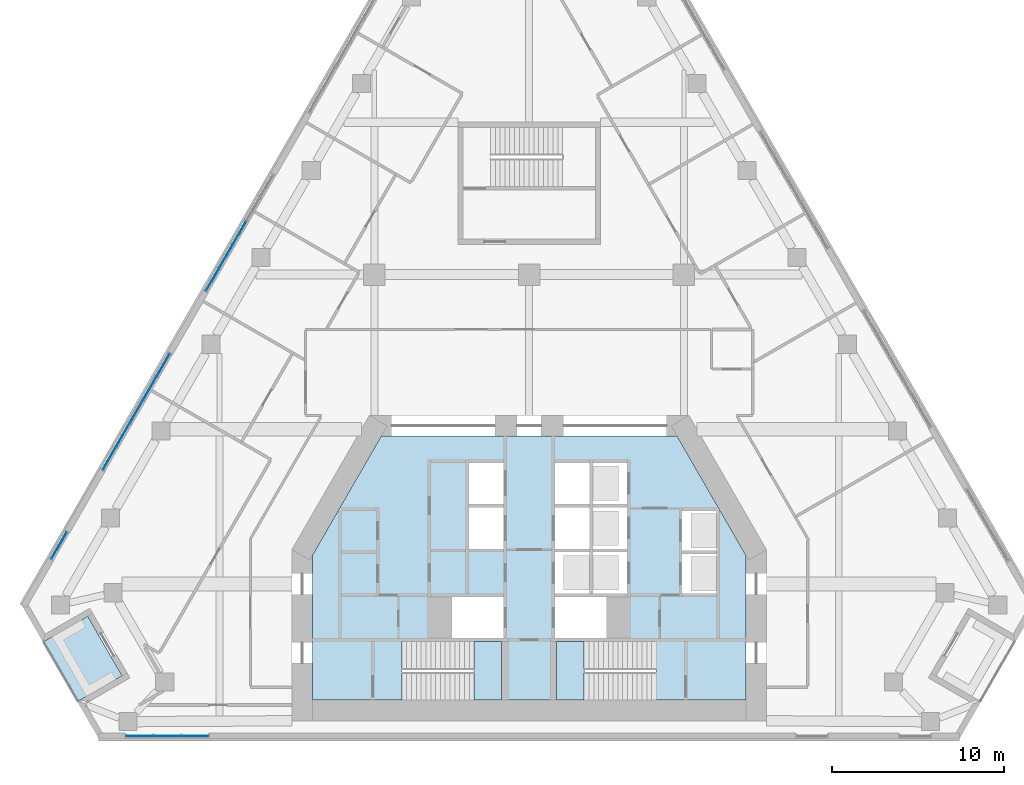
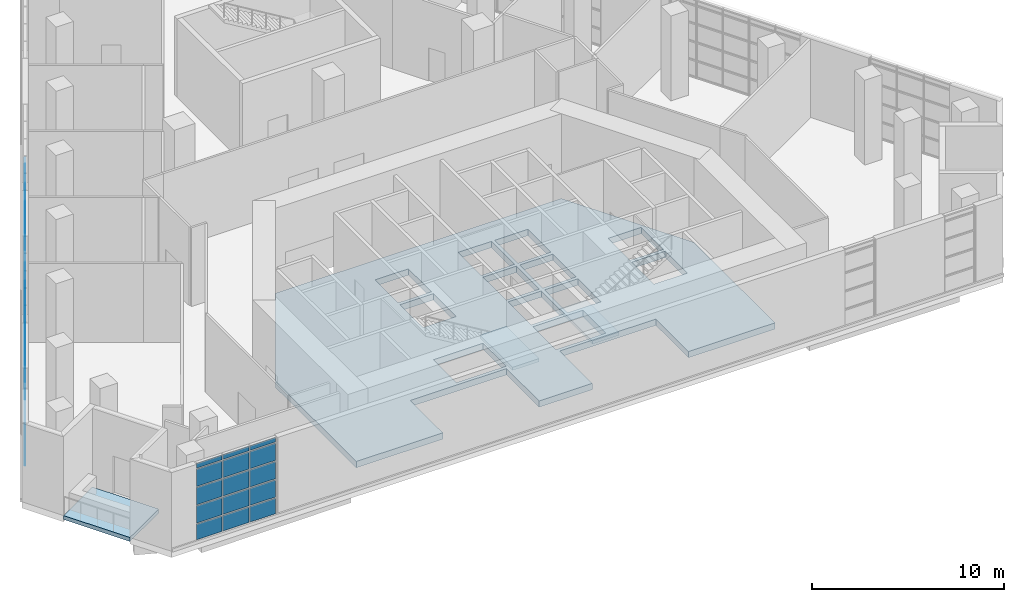
# One storey, part 8 of 18: 57 plates, 4 slabs, 6 elements without a shape of their own.
"""IFC4 building model written with IfcOpenShell, lengths in metres."""

import ifcopenshell
import ifcopenshell.guid

model = None  # the IFC model being written
_history = None  # IfcOwnerHistory: only IFC2X3 demands one
_inside = {}  # id of a spatial element -> (the spatial element, [elements in it])
_under = {}  # id of a project, library or spatial element -> (it, [spatial elements below it])
_declared = {}  # id of a project -> (the project, [libraries it declares])
_typed = {}  # id of a type object -> (the type object, [elements of that type])
_made_of = {}  # id of a material, layer set ... -> (it, [elements and type objects made of it])


def new_model(schema):
    """Start an empty IFC model of exactly this schema.

    Asked for "IFC4X3", IfcOpenShell would pick the latest addendum, in which some entities
    have other attributes; the version numbers below select the first issue.
    IFC2X3 requires an IfcOwnerHistory on every rooted entity: one is made here for all.
    """
    global model, _history
    if schema == "IFC4X3":
        model = ifcopenshell.file(schema_version=(4, 3, 0, 0))
    else:
        model = ifcopenshell.file(schema=schema)
    _inside.clear()
    _under.clear()
    _declared.clear()
    _typed.clear()
    _made_of.clear()
    _history = None
    if model.schema == "IFC2X3":
        org = make("IfcOrganization", Name="unknown")
        user = make(
            "IfcPersonAndOrganization",
            ThePerson=make("IfcPerson", FamilyName="unknown"),
            TheOrganization=org,
        )
        app = make(
            "IfcApplication",
            ApplicationDeveloper=org,
            Version="unknown",
            ApplicationFullName="unknown",
            ApplicationIdentifier="unknown",
        )
        _history = make(
            "IfcOwnerHistory",
            OwningUser=user,
            OwningApplication=app,
            ChangeAction="ADDED",
            CreationDate=0,
        )
    return model


def make(cls, **values):
    """One entity of the class cls with the attributes given. An attribute that is None is left unset."""
    return model.create_entity(
        cls, **{name: value for name, value in values.items() if value is not None}
    )


def rooted(cls, **values):
    """An entity with a GlobalId (a new one), such as an element, a storey or a relation."""
    return make(cls, GlobalId=ifcopenshell.guid.new(), OwnerHistory=_history, **values)


def si_unit(unit_type, name, prefix=None):
    """IfcSIUnit, for example si_unit("LENGTHUNIT", "METRE", prefix="MILLI")."""
    return make("IfcSIUnit", UnitType=unit_type, Prefix=prefix, Name=name)


def assignment(units):
    """IfcUnitAssignment: the units of a project."""
    return None if units is None else make("IfcUnitAssignment", Units=units)


def point(xyz):
    """IfcCartesianPoint."""
    return None if xyz is None else make("IfcCartesianPoint", Coordinates=xyz)


def direction(xyz):
    """IfcDirection."""
    return None if xyz is None else make("IfcDirection", DirectionRatios=xyz)


def frame(location, z_axis=None, x_axis=None):
    """IfcAxis2Placement3D, a coordinate frame: its origin and axes. An axis left out is left unset."""
    return make(
        "IfcAxis2Placement3D",
        Location=point(location),
        Axis=direction(z_axis),
        RefDirection=direction(x_axis),
    )


def frame_2d(location, x_axis=None):
    """IfcAxis2Placement2D, a coordinate frame in the plane: its origin and x axis."""
    return make(
        "IfcAxis2Placement2D", Location=point(location), RefDirection=direction(x_axis)
    )


def origin():
    """The frame at (0, 0, 0) with its axes left unset."""
    return frame((0.0, 0.0, 0.0))


def origin_2d():
    """The frame at (0, 0) in the plane with its x axis left unset."""
    return frame_2d((0.0, 0.0))


def place(relative_to, where):
    """IfcLocalPlacement: puts the frame where relative to a parent placement (None: the world)."""
    return make(
        "IfcLocalPlacement", PlacementRelTo=relative_to, RelativePlacement=where
    )


def context(
    kind, dimensions, precision=None, world=None, true_north=None, identifier=None
):
    """IfcGeometricRepresentationContext, for example the 3D "Model" context."""
    return make(
        "IfcGeometricRepresentationContext",
        ContextIdentifier=identifier,
        ContextType=kind,
        CoordinateSpaceDimension=dimensions,
        Precision=precision,
        WorldCoordinateSystem=world,
        TrueNorth=true_north,
    )


def subcontext(parent, identifier, kind, view, scale=None):
    """IfcGeometricRepresentationSubContext, for example "Body" below "Model"."""
    return make(
        "IfcGeometricRepresentationSubContext",
        ContextIdentifier=identifier,
        ContextType=kind,
        ParentContext=parent,
        TargetScale=scale,
        TargetView=view,
    )


def project(units=None, contexts=None):
    """IfcProject with its units and contexts."""
    return rooted(
        "IfcProject",
        Name="project",
        RepresentationContexts=contexts,
        UnitsInContext=assignment(units),
    )


def spatial(cls, under=None, at=None, **own):
    """A site, building, storey or space (cls), placed at a placement, below another one or the project."""
    s = rooted(cls, ObjectPlacement=at, **own)
    if under is not None:
        _under.setdefault(under.id(), (under, []))[1].append(s)
    return s


def polyline(points):
    """IfcPolyline through the points."""
    return make("IfcPolyline", Points=[point(p) for p in points])


def profile(cls, at=None, kind="AREA", **sizes):
    """A parametric profile (cls). Its sizes go by their IFC names, for example OverallWidth=200.0."""
    return make(cls, ProfileType=kind, Position=at, **sizes)


def rectangle(**sizes):
    """IfcRectangleProfileDef."""
    return profile("IfcRectangleProfileDef", **sizes)


def outline(outer, holes=None, kind="AREA"):
    """IfcArbitraryClosedProfileDef: a profile drawn as a closed curve; with holes, ...WithVoids."""
    if holes is None:
        return make("IfcArbitraryClosedProfileDef", ProfileType=kind, OuterCurve=outer)
    return make(
        "IfcArbitraryProfileDefWithVoids",
        ProfileType=kind,
        OuterCurve=outer,
        InnerCurves=holes,
    )


def extrude(swept, where, along, depth):
    """IfcExtrudedAreaSolid: the profile swept, set in the frame where, extruded along a direction by depth."""
    return make(
        "IfcExtrudedAreaSolid",
        SweptArea=swept,
        Position=where,
        ExtrudedDirection=direction(along),
        Depth=depth,
    )


def shape(context_of_items, identifier, shape_type, items):
    """IfcShapeRepresentation: the items that make up one representation, for example the "Body"."""
    return make(
        "IfcShapeRepresentation",
        ContextOfItems=context_of_items,
        RepresentationIdentifier=identifier,
        RepresentationType=shape_type,
        Items=items,
    )


def material(Name=None, Category=None):
    """IfcMaterial."""
    return make("IfcMaterial", Name=Name, Category=Category)


def layer(
    of_material, thickness, ventilated=None, Name=None, Category=None, Priority=None
):
    """IfcMaterialLayer: one layer of a wall or slab, of a material (None: an air gap)."""
    return make(
        "IfcMaterialLayer",
        Material=of_material,
        LayerThickness=thickness,
        IsVentilated=ventilated,
        Name=Name,
        Category=Category,
        Priority=Priority,
    )


def layer_set(layers, Name=None):
    """IfcMaterialLayerSet."""
    return make("IfcMaterialLayerSet", MaterialLayers=layers, LayerSetName=Name)


def made_of(thing, what):
    """Note that an element or type object is made of a material, layer set ...; save() writes the relation."""
    if what is not None:
        _made_of.setdefault(what.id(), (what, []))[1].append(thing)
    return thing


def type_object(cls, material=None, **own):
    """A type object (cls), such as IfcWallType, which elements share."""
    return made_of(rooted(cls, **own), material)


def element(
    cls,
    number,
    at=None,
    inside=None,
    cuts=None,
    type_object=None,
    material=None,
    context=None,
    identifier="Body",
    shape_type=None,
    held_by="IfcProductDefinitionShape",
    body=None,
    shapes=None,
    **own,
):
    """One element of the class cls, such as IfcWall. Its Tag is "e" and its number.

    at: its placement. inside: the storey or other place that contains it. cuts: it is an
    opening in that element (IfcRelVoidsElement). A single representation is given by context,
    identifier, shape_type and body (its items); several are given by shapes. held_by: the class
    of the entity that holds the representations. save() writes the other relations.
    """
    e = rooted(cls, Tag="e%d" % number, ObjectPlacement=at, **own)
    if body is not None:
        shapes = [shape(context, identifier, shape_type, body)]
    if shapes is not None:
        e.Representation = make(held_by, Representations=shapes)
    if inside is not None:
        _inside.setdefault(inside.id(), (inside, []))[1].append(e)
    if cuts is not None:
        rooted(
            "IfcRelVoidsElement", RelatingBuildingElement=cuts, RelatedOpeningElement=e
        )
    if type_object is not None:
        _typed.setdefault(type_object.id(), (type_object, []))[1].append(e)
    return made_of(e, material)


def aggregate(whole, parts):
    """IfcRelAggregates: a whole, such as a stair, and the parts it consists of."""
    return rooted("IfcRelAggregates", RelatingObject=whole, RelatedObjects=parts)


def save(model, path):
    """Write the relations noted so far, then the file.

    IfcRelAggregates (storeys below a building ...), IfcRelContainedInSpatialStructure (elements
    in a storey), IfcRelDefinesByType, IfcRelAssociatesMaterial and IfcRelDeclares: one each for
    every whole, place, type object, material and project.
    """
    for whole, parts in _under.values():
        aggregate(whole, parts)
    for where, things in _inside.values():
        rooted(
            "IfcRelContainedInSpatialStructure",
            RelatedElements=things,
            RelatingStructure=where,
        )
    for kind, things in _typed.values():
        rooted("IfcRelDefinesByType", RelatedObjects=things, RelatingType=kind)
    for what, things in _made_of.values():
        rooted("IfcRelAssociatesMaterial", RelatedObjects=things, RelatingMaterial=what)
    for by, libraries in _declared.values():
        rooted("IfcRelDeclares", RelatingContext=by, RelatedDefinitions=libraries)
    model.write(path)


model = new_model("IFC4")

# Units and contexts
model_context = context("Model", 3, precision=1e-05, world=origin(), true_north=direction((0.0, 1.0)))
body_context = subcontext(model_context, "Body", "Model", "MODEL_VIEW")
ifc_project = project(units=[si_unit("LENGTHUNIT", "METRE"), si_unit("AREAUNIT", "SQUARE_METRE"), si_unit("VOLUMEUNIT", "CUBIC_METRE"), si_unit("PLANEANGLEUNIT", "RADIAN"), si_unit("MASSUNIT", "GRAM", prefix="KILO")], contexts=[model_context])

# Site, building, storey
site_placement = place(None, origin())
site = spatial("IfcSite", under=ifc_project, at=site_placement, CompositionType="ELEMENT")
building_placement = place(site_placement, origin())
building = spatial("IfcBuilding", under=site, at=building_placement, Name="Fogline Exchange Tower", CompositionType="ELEMENT")
storey_placement = place(building_placement, frame((0.0, 0.0, 137.5)))
storey = spatial("IfcBuildingStorey", under=building, at=storey_placement, Name="L30", CompositionType="ELEMENT", Elevation=137.5)

# Curtain wall, plates
ifc_material_1 = material(Name="Aluminium and glass", Category="aluminium")
curtain_wall_type = type_object("IfcCurtainWallType", Name="CW4", PredefinedType="NOTDEFINED", material=ifc_material_1)
curtain_wall_1_placement = place(storey_placement, origin())
curtain_wall_1 = element("IfcCurtainWall", 1, at=curtain_wall_1_placement, inside=storey, type_object=curtain_wall_type, Name="CW4 L30 S run 1", PredefinedType="NOTDEFINED")
ifc_material_2 = material(Name="Glass", Category="glass")
ifc_layer_1 = layer(ifc_material_2, 0.030029296875)
ifc_layer_set_1 = layer_set([ifc_layer_1], Name="CW4-P")
plate_type = type_object("IfcPlateType", Name="CW4-P", PredefinedType="CURTAIN_PANEL", material=ifc_layer_set_1)
plate_1_placement = place(storey_placement, frame((-22.6708984375, 0.169921875, 0.0751953125), z_axis=(0.0, 0.0, 1.0), x_axis=(1.0, 0.0, 0.0)))
plate_1 = element("IfcPlate", 2, at=plate_1_placement, type_object=plate_type, Name="CW4-T09-01 panel 1.1", PredefinedType="CURTAIN_PANEL", context=body_context, shape_type="SweptSolid", body=[
    extrude(rectangle(XDim=1.538330078125, YDim=0.030029296875, at=origin_2d()), origin(), (0.0, 0.0, 1.0), 0.987548828125),
])
plate_2_placement = place(storey_placement, frame((-22.6708984375, 0.169921875, 1.137451171875), z_axis=(0.0, 0.0, 1.0), x_axis=(1.0, 0.0, 0.0)))
plate_2 = element("IfcPlate", 3, at=plate_2_placement, type_object=plate_type, Name="CW4-T09-01 panel 1.2", PredefinedType="CURTAIN_PANEL", context=body_context, shape_type="SweptSolid", body=[
    extrude(rectangle(XDim=1.538330078125, YDim=0.030029296875, at=origin_2d()), origin(), (0.0, 0.0, 1.0), 1.091796875),
])
plate_3_placement = place(storey_placement, frame((-22.6708984375, 0.169921875, 2.30419921875), z_axis=(0.0, 0.0, 1.0), x_axis=(1.0, 0.0, 0.0)))
plate_3 = element("IfcPlate", 4, at=plate_3_placement, type_object=plate_type, Name="CW4-T09-01 panel 1.3", PredefinedType="CURTAIN_PANEL", context=body_context, shape_type="SweptSolid", body=[
    extrude(rectangle(XDim=1.538330078125, YDim=0.030029296875, at=origin_2d()), origin(), (0.0, 0.0, 1.0), 1.091552734375),
])
plate_4_placement = place(storey_placement, frame((-22.6708984375, 0.169921875, 3.470703125), z_axis=(0.0, 0.0, 1.0), x_axis=(1.0, 0.0, 0.0)))
plate_4 = element("IfcPlate", 5, at=plate_4_placement, type_object=plate_type, Name="CW4-T09-01 panel 1.4", PredefinedType="CURTAIN_PANEL", context=body_context, shape_type="SweptSolid", body=[
    extrude(rectangle(XDim=1.538330078125, YDim=0.030029296875, at=origin_2d()), origin(), (0.0, 0.0, 1.0), 1.091796875),
])
plate_5_placement = place(storey_placement, frame((-22.6708984375, 0.169921875, 4.637451171875), z_axis=(0.0, 0.0, 1.0), x_axis=(1.0, 0.0, 0.0)))
plate_5 = element("IfcPlate", 6, at=plate_5_placement, type_object=plate_type, Name="CW4-T09-01 panel 1.5", PredefinedType="CURTAIN_PANEL", context=body_context, shape_type="SweptSolid", body=[
    extrude(rectangle(XDim=1.538330078125, YDim=0.030029296875, at=origin_2d()), origin(), (0.0, 0.0, 1.0), 0.28759765625),
])
plate_6_placement = place(storey_placement, frame((-21.0576171875, 0.169921875, 0.0751953125), z_axis=(0.0, 0.0, 1.0), x_axis=(1.0, 0.0, 0.0)))
plate_6 = element("IfcPlate", 7, at=plate_6_placement, type_object=plate_type, Name="CW4-T09-01 panel 2.1", PredefinedType="CURTAIN_PANEL", context=body_context, shape_type="SweptSolid", body=[
    extrude(rectangle(XDim=1.568359375, YDim=0.030029296875, at=origin_2d()), origin(), (0.0, 0.0, 1.0), 0.987548828125),
])
plate_7_placement = place(storey_placement, frame((-21.0576171875, 0.169921875, 1.137451171875), z_axis=(0.0, 0.0, 1.0), x_axis=(1.0, 0.0, 0.0)))
plate_7 = element("IfcPlate", 8, at=plate_7_placement, type_object=plate_type, Name="CW4-T09-01 panel 2.2", PredefinedType="CURTAIN_PANEL", context=body_context, shape_type="SweptSolid", body=[
    extrude(rectangle(XDim=1.568359375, YDim=0.030029296875, at=origin_2d()), origin(), (0.0, 0.0, 1.0), 1.091796875),
])
plate_8_placement = place(storey_placement, frame((-21.0576171875, 0.169921875, 2.30419921875), z_axis=(0.0, 0.0, 1.0), x_axis=(1.0, 0.0, 0.0)))
plate_8 = element("IfcPlate", 9, at=plate_8_placement, type_object=plate_type, Name="CW4-T09-01 panel 2.3", PredefinedType="CURTAIN_PANEL", context=body_context, shape_type="SweptSolid", body=[
    extrude(rectangle(XDim=1.568359375, YDim=0.030029296875, at=origin_2d()), origin(), (0.0, 0.0, 1.0), 1.091552734375),
])
plate_9_placement = place(storey_placement, frame((-21.0576171875, 0.169921875, 3.470703125), z_axis=(0.0, 0.0, 1.0), x_axis=(1.0, 0.0, 0.0)))
plate_9 = element("IfcPlate", 10, at=plate_9_placement, type_object=plate_type, Name="CW4-T09-01 panel 2.4", PredefinedType="CURTAIN_PANEL", context=body_context, shape_type="SweptSolid", body=[
    extrude(rectangle(XDim=1.568359375, YDim=0.030029296875, at=origin_2d()), origin(), (0.0, 0.0, 1.0), 1.091796875),
])
plate_10_placement = place(storey_placement, frame((-21.0576171875, 0.169921875, 4.637451171875), z_axis=(0.0, 0.0, 1.0), x_axis=(1.0, 0.0, 0.0)))
plate_10 = element("IfcPlate", 11, at=plate_10_placement, type_object=plate_type, Name="CW4-T09-01 panel 2.5", PredefinedType="CURTAIN_PANEL", context=body_context, shape_type="SweptSolid", body=[
    extrude(rectangle(XDim=1.568359375, YDim=0.030029296875, at=origin_2d()), origin(), (0.0, 0.0, 1.0), 0.28759765625),
])
plate_11_placement = place(storey_placement, frame((-19.444091796875, 0.169921875, 0.0751953125), z_axis=(0.0, 0.0, 1.0), x_axis=(1.0, 0.0, 0.0)))
plate_11 = element("IfcPlate", 12, at=plate_11_placement, type_object=plate_type, Name="CW4-T09-01 panel 3.1", PredefinedType="CURTAIN_PANEL", context=body_context, shape_type="SweptSolid", body=[
    extrude(rectangle(XDim=1.538330078125, YDim=0.030029296875, at=origin_2d()), origin(), (0.0, 0.0, 1.0), 0.987548828125),
])
plate_12_placement = place(storey_placement, frame((-19.444091796875, 0.169921875, 1.137451171875), z_axis=(0.0, 0.0, 1.0), x_axis=(1.0, 0.0, 0.0)))
plate_12 = element("IfcPlate", 13, at=plate_12_placement, type_object=plate_type, Name="CW4-T09-01 panel 3.2", PredefinedType="CURTAIN_PANEL", context=body_context, shape_type="SweptSolid", body=[
    extrude(rectangle(XDim=1.538330078125, YDim=0.030029296875, at=origin_2d()), origin(), (0.0, 0.0, 1.0), 1.091796875),
])
plate_13_placement = place(storey_placement, frame((-19.444091796875, 0.169921875, 2.30419921875), z_axis=(0.0, 0.0, 1.0), x_axis=(1.0, 0.0, 0.0)))
plate_13 = element("IfcPlate", 14, at=plate_13_placement, type_object=plate_type, Name="CW4-T09-01 panel 3.3", PredefinedType="CURTAIN_PANEL", context=body_context, shape_type="SweptSolid", body=[
    extrude(rectangle(XDim=1.538330078125, YDim=0.030029296875, at=origin_2d()), origin(), (0.0, 0.0, 1.0), 1.091552734375),
])
plate_14_placement = place(storey_placement, frame((-19.444091796875, 0.169921875, 3.470703125), z_axis=(0.0, 0.0, 1.0), x_axis=(1.0, 0.0, 0.0)))
plate_14 = element("IfcPlate", 15, at=plate_14_placement, type_object=plate_type, Name="CW4-T09-01 panel 3.4", PredefinedType="CURTAIN_PANEL", context=body_context, shape_type="SweptSolid", body=[
    extrude(rectangle(XDim=1.538330078125, YDim=0.030029296875, at=origin_2d()), origin(), (0.0, 0.0, 1.0), 1.091796875),
])
plate_15_placement = place(storey_placement, frame((-19.444091796875, 0.169921875, 4.637451171875), z_axis=(0.0, 0.0, 1.0), x_axis=(1.0, 0.0, 0.0)))
plate_15 = element("IfcPlate", 16, at=plate_15_placement, type_object=plate_type, Name="CW4-T09-01 panel 3.5", PredefinedType="CURTAIN_PANEL", context=body_context, shape_type="SweptSolid", body=[
    extrude(rectangle(XDim=1.538330078125, YDim=0.030029296875, at=origin_2d()), origin(), (0.0, 0.0, 1.0), 0.28759765625),
])
aggregate(curtain_wall_1, [plate_1, plate_2, plate_3, plate_4, plate_5, plate_6, plate_7, plate_8, plate_9, plate_10, plate_11, plate_12, plate_13, plate_14, plate_15])

curtain_wall_2_placement = place(storey_placement, origin())
curtain_wall_2 = element("IfcCurtainWall", 17, at=curtain_wall_2_placement, inside=storey, type_object=curtain_wall_type, Name="CW4 L30 W run 3", PredefinedType="NOTDEFINED")
plate_16_placement = place(storey_placement, frame((-16.839599609375, 29.418701171875, 0.0751953125), z_axis=(0.0, 0.0, 1.0), x_axis=(-0.500000016959, -0.866025393993, 0.0)))
plate_16 = element("IfcPlate", 18, at=plate_16_placement, type_object=plate_type, Name="CW4-T09-10 panel 3.1", PredefinedType="CURTAIN_PANEL", context=body_context, shape_type="SweptSolid", body=[
    extrude(rectangle(XDim=1.51708984375, YDim=0.030029296875, at=origin_2d()), origin(), (0.0, 0.0, 1.0), 0.987548828125),
])
plate_17_placement = place(storey_placement, frame((-16.839599609375, 29.418701171875, 1.137451171875), z_axis=(0.0, 0.0, 1.0), x_axis=(-0.500000016959, -0.866025393993, 0.0)))
plate_17 = element("IfcPlate", 19, at=plate_17_placement, type_object=plate_type, Name="CW4-T09-10 panel 3.2", PredefinedType="CURTAIN_PANEL", context=body_context, shape_type="SweptSolid", body=[
    extrude(rectangle(XDim=1.51708984375, YDim=0.030029296875, at=origin_2d()), origin(), (0.0, 0.0, 1.0), 1.091796875),
])
plate_18_placement = place(storey_placement, frame((-17.628173828125, 28.052978515625, 0.0751953125), z_axis=(0.0, 0.0, 1.0), x_axis=(-0.500000016959, -0.866025393993, 0.0)))
plate_18 = element("IfcPlate", 20, at=plate_18_placement, type_object=plate_type, Name="CW4-T09-10 panel 4.1", PredefinedType="CURTAIN_PANEL", context=body_context, shape_type="SweptSolid", body=[
    extrude(rectangle(XDim=1.51708984375, YDim=0.030029296875, at=origin_2d()), origin(), (0.0, 0.0, 1.0), 0.987548828125),
])
plate_19_placement = place(storey_placement, frame((-17.628173828125, 28.052978515625, 1.137451171875), z_axis=(0.0, 0.0, 1.0), x_axis=(-0.500000016959, -0.866025393993, 0.0)))
plate_19 = element("IfcPlate", 21, at=plate_19_placement, type_object=plate_type, Name="CW4-T09-10 panel 4.2", PredefinedType="CURTAIN_PANEL", context=body_context, shape_type="SweptSolid", body=[
    extrude(rectangle(XDim=1.51708984375, YDim=0.030029296875, at=origin_2d()), origin(), (0.0, 0.0, 1.0), 1.091796875),
])
plate_20_placement = place(storey_placement, frame((-17.628173828125, 28.052978515625, 2.30419921875), z_axis=(0.0, 0.0, 1.0), x_axis=(-0.500000016959, -0.866025393993, 0.0)))
plate_20 = element("IfcPlate", 22, at=plate_20_placement, type_object=plate_type, Name="CW4-T09-10 panel 4.3", PredefinedType="CURTAIN_PANEL", context=body_context, shape_type="SweptSolid", body=[
    extrude(rectangle(XDim=1.51708984375, YDim=0.030029296875, at=origin_2d()), origin(), (0.0, 0.0, 1.0), 1.091552734375),
])
plate_21_placement = place(storey_placement, frame((-17.628173828125, 28.052978515625, 3.470703125), z_axis=(0.0, 0.0, 1.0), x_axis=(-0.500000016959, -0.866025393993, 0.0)))
plate_21 = element("IfcPlate", 23, at=plate_21_placement, type_object=plate_type, Name="CW4-T09-10 panel 4.4", PredefinedType="CURTAIN_PANEL", context=body_context, shape_type="SweptSolid", body=[
    extrude(rectangle(XDim=1.51708984375, YDim=0.030029296875, at=origin_2d()), origin(), (0.0, 0.0, 1.0), 1.091796875),
])
plate_22_placement = place(storey_placement, frame((-17.628173828125, 28.052978515625, 4.637451171875), z_axis=(0.0, 0.0, 1.0), x_axis=(-0.500000016959, -0.866025393993, 0.0)))
plate_22 = element("IfcPlate", 24, at=plate_22_placement, type_object=plate_type, Name="CW4-T09-10 panel 4.5", PredefinedType="CURTAIN_PANEL", context=body_context, shape_type="SweptSolid", body=[
    extrude(rectangle(XDim=1.51708984375, YDim=0.030029296875, at=origin_2d()), origin(), (0.0, 0.0, 1.0), 0.28759765625),
])
plate_23_placement = place(storey_placement, frame((-18.4091796875, 26.7001953125, 0.0751953125), z_axis=(0.0, 0.0, 1.0), x_axis=(-0.500000016959, -0.866025393993, 0.0)))
plate_23 = element("IfcPlate", 25, at=plate_23_placement, type_object=plate_type, Name="CW4-T09-10 panel 5.1", PredefinedType="CURTAIN_PANEL", context=body_context, shape_type="SweptSolid", body=[
    extrude(rectangle(XDim=1.487060546875, YDim=0.030029296875, at=origin_2d()), origin(), (0.0, 0.0, 1.0), 0.987548828125),
])
plate_24_placement = place(storey_placement, frame((-18.4091796875, 26.7001953125, 1.137451171875), z_axis=(0.0, 0.0, 1.0), x_axis=(-0.500000016959, -0.866025393993, 0.0)))
plate_24 = element("IfcPlate", 26, at=plate_24_placement, type_object=plate_type, Name="CW4-T09-10 panel 5.2", PredefinedType="CURTAIN_PANEL", context=body_context, shape_type="SweptSolid", body=[
    extrude(rectangle(XDim=1.487060546875, YDim=0.030029296875, at=origin_2d()), origin(), (0.0, 0.0, 1.0), 1.091796875),
])
plate_25_placement = place(storey_placement, frame((-18.4091796875, 26.7001953125, 2.30419921875), z_axis=(0.0, 0.0, 1.0), x_axis=(-0.500000016959, -0.866025393993, 0.0)))
plate_25 = element("IfcPlate", 27, at=plate_25_placement, type_object=plate_type, Name="CW4-T09-10 panel 5.3", PredefinedType="CURTAIN_PANEL", context=body_context, shape_type="SweptSolid", body=[
    extrude(rectangle(XDim=1.487060546875, YDim=0.030029296875, at=origin_2d()), origin(), (0.0, 0.0, 1.0), 1.091552734375),
])
plate_26_placement = place(storey_placement, frame((-18.4091796875, 26.7001953125, 3.470703125), z_axis=(0.0, 0.0, 1.0), x_axis=(-0.500000016959, -0.866025393993, 0.0)))
plate_26 = element("IfcPlate", 28, at=plate_26_placement, type_object=plate_type, Name="CW4-T09-10 panel 5.4", PredefinedType="CURTAIN_PANEL", context=body_context, shape_type="SweptSolid", body=[
    extrude(rectangle(XDim=1.487060546875, YDim=0.030029296875, at=origin_2d()), origin(), (0.0, 0.0, 1.0), 1.091796875),
])
plate_27_placement = place(storey_placement, frame((-18.4091796875, 26.7001953125, 4.637451171875), z_axis=(0.0, 0.0, 1.0), x_axis=(-0.500000016959, -0.866025393993, 0.0)))
plate_27 = element("IfcPlate", 29, at=plate_27_placement, type_object=plate_type, Name="CW4-T09-10 panel 5.5", PredefinedType="CURTAIN_PANEL", context=body_context, shape_type="SweptSolid", body=[
    extrude(rectangle(XDim=1.487060546875, YDim=0.030029296875, at=origin_2d()), origin(), (0.0, 0.0, 1.0), 0.28759765625),
])
aggregate(curtain_wall_2, [plate_16, plate_17, plate_18, plate_19, plate_20, plate_21, plate_22, plate_23, plate_24, plate_25, plate_26, plate_27])

curtain_wall_3_placement = place(storey_placement, origin())
curtain_wall_3 = element("IfcCurtainWall", 30, at=curtain_wall_3_placement, inside=storey, type_object=curtain_wall_type, Name="CW4 L30 W run 4", PredefinedType="NOTDEFINED")
plate_28_placement = place(storey_placement, frame((-21.270263671875, 21.744873046875, 0.0751953125), z_axis=(0.0, 0.0, 1.0), x_axis=(-0.500000016959, -0.866025393993, 0.0)))
plate_28 = element("IfcPlate", 31, at=plate_28_placement, type_object=plate_type, Name="CW4-T09-11 panel 1.1", PredefinedType="CURTAIN_PANEL", context=body_context, shape_type="SweptSolid", body=[
    extrude(rectangle(XDim=1.487060546875, YDim=0.030029296875, at=origin_2d()), origin(), (0.0, 0.0, 1.0), 0.987548828125),
])
plate_29_placement = place(storey_placement, frame((-21.270263671875, 21.744873046875, 1.137451171875), z_axis=(0.0, 0.0, 1.0), x_axis=(-0.500000016959, -0.866025393993, 0.0)))
plate_29 = element("IfcPlate", 32, at=plate_29_placement, type_object=plate_type, Name="CW4-T09-11 panel 1.2", PredefinedType="CURTAIN_PANEL", context=body_context, shape_type="SweptSolid", body=[
    extrude(rectangle(XDim=1.487060546875, YDim=0.030029296875, at=origin_2d()), origin(), (0.0, 0.0, 1.0), 1.091796875),
])
plate_30_placement = place(storey_placement, frame((-21.270263671875, 21.744873046875, 2.30419921875), z_axis=(0.0, 0.0, 1.0), x_axis=(-0.500000016959, -0.866025393993, 0.0)))
plate_30 = element("IfcPlate", 33, at=plate_30_placement, type_object=plate_type, Name="CW4-T09-11 panel 1.3", PredefinedType="CURTAIN_PANEL", context=body_context, shape_type="SweptSolid", body=[
    extrude(rectangle(XDim=1.487060546875, YDim=0.030029296875, at=origin_2d()), origin(), (0.0, 0.0, 1.0), 1.091552734375),
])
plate_31_placement = place(storey_placement, frame((-21.270263671875, 21.744873046875, 3.470703125), z_axis=(0.0, 0.0, 1.0), x_axis=(-0.500000016959, -0.866025393993, 0.0)))
plate_31 = element("IfcPlate", 34, at=plate_31_placement, type_object=plate_type, Name="CW4-T09-11 panel 1.4", PredefinedType="CURTAIN_PANEL", context=body_context, shape_type="SweptSolid", body=[
    extrude(rectangle(XDim=1.487060546875, YDim=0.030029296875, at=origin_2d()), origin(), (0.0, 0.0, 1.0), 1.091796875),
])
plate_32_placement = place(storey_placement, frame((-21.270263671875, 21.744873046875, 4.637451171875), z_axis=(0.0, 0.0, 1.0), x_axis=(-0.500000016959, -0.866025393993, 0.0)))
plate_32 = element("IfcPlate", 35, at=plate_32_placement, type_object=plate_type, Name="CW4-T09-11 panel 1.5", PredefinedType="CURTAIN_PANEL", context=body_context, shape_type="SweptSolid", body=[
    extrude(rectangle(XDim=1.487060546875, YDim=0.030029296875, at=origin_2d()), origin(), (0.0, 0.0, 1.0), 0.28759765625),
])
plate_33_placement = place(storey_placement, frame((-22.05126953125, 20.39208984375, 0.0751953125), z_axis=(0.0, 0.0, 1.0), x_axis=(-0.500000016959, -0.866025393993, 0.0)))
plate_33 = element("IfcPlate", 36, at=plate_33_placement, type_object=plate_type, Name="CW4-T09-11 panel 2.1", PredefinedType="CURTAIN_PANEL", context=body_context, shape_type="SweptSolid", body=[
    extrude(rectangle(XDim=1.51708984375, YDim=0.030029296875, at=origin_2d()), origin(), (0.0, 0.0, 1.0), 0.987548828125),
])
plate_34_placement = place(storey_placement, frame((-22.05126953125, 20.39208984375, 1.137451171875), z_axis=(0.0, 0.0, 1.0), x_axis=(-0.500000016959, -0.866025393993, 0.0)))
plate_34 = element("IfcPlate", 37, at=plate_34_placement, type_object=plate_type, Name="CW4-T09-11 panel 2.2", PredefinedType="CURTAIN_PANEL", context=body_context, shape_type="SweptSolid", body=[
    extrude(rectangle(XDim=1.51708984375, YDim=0.030029296875, at=origin_2d()), origin(), (0.0, 0.0, 1.0), 1.091796875),
])
plate_35_placement = place(storey_placement, frame((-22.05126953125, 20.39208984375, 2.30419921875), z_axis=(0.0, 0.0, 1.0), x_axis=(-0.500000016959, -0.866025393993, 0.0)))
plate_35 = element("IfcPlate", 38, at=plate_35_placement, type_object=plate_type, Name="CW4-T09-11 panel 2.3", PredefinedType="CURTAIN_PANEL", context=body_context, shape_type="SweptSolid", body=[
    extrude(rectangle(XDim=1.51708984375, YDim=0.030029296875, at=origin_2d()), origin(), (0.0, 0.0, 1.0), 1.091552734375),
])
plate_36_placement = place(storey_placement, frame((-22.05126953125, 20.39208984375, 3.470703125), z_axis=(0.0, 0.0, 1.0), x_axis=(-0.500000016959, -0.866025393993, 0.0)))
plate_36 = element("IfcPlate", 39, at=plate_36_placement, type_object=plate_type, Name="CW4-T09-11 panel 2.4", PredefinedType="CURTAIN_PANEL", context=body_context, shape_type="SweptSolid", body=[
    extrude(rectangle(XDim=1.51708984375, YDim=0.030029296875, at=origin_2d()), origin(), (0.0, 0.0, 1.0), 1.091796875),
])
plate_37_placement = place(storey_placement, frame((-22.05126953125, 20.39208984375, 4.637451171875), z_axis=(0.0, 0.0, 1.0), x_axis=(-0.500000016959, -0.866025393993, 0.0)))
plate_37 = element("IfcPlate", 40, at=plate_37_placement, type_object=plate_type, Name="CW4-T09-11 panel 2.5", PredefinedType="CURTAIN_PANEL", context=body_context, shape_type="SweptSolid", body=[
    extrude(rectangle(XDim=1.51708984375, YDim=0.030029296875, at=origin_2d()), origin(), (0.0, 0.0, 1.0), 0.28759765625),
])
plate_38_placement = place(storey_placement, frame((-22.839599609375, 19.0263671875, 0.0751953125), z_axis=(0.0, 0.0, 1.0), x_axis=(-0.500000016959, -0.866025393993, 0.0)))
plate_38 = element("IfcPlate", 41, at=plate_38_placement, type_object=plate_type, Name="CW4-T09-11 panel 3.1", PredefinedType="CURTAIN_PANEL", context=body_context, shape_type="SweptSolid", body=[
    extrude(rectangle(XDim=1.51708984375, YDim=0.030029296875, at=origin_2d()), origin(), (0.0, 0.0, 1.0), 0.987548828125),
])
plate_39_placement = place(storey_placement, frame((-22.839599609375, 19.0263671875, 1.137451171875), z_axis=(0.0, 0.0, 1.0), x_axis=(-0.500000016959, -0.866025393993, 0.0)))
plate_39 = element("IfcPlate", 42, at=plate_39_placement, type_object=plate_type, Name="CW4-T09-11 panel 3.2", PredefinedType="CURTAIN_PANEL", context=body_context, shape_type="SweptSolid", body=[
    extrude(rectangle(XDim=1.51708984375, YDim=0.030029296875, at=origin_2d()), origin(), (0.0, 0.0, 1.0), 1.091796875),
])
plate_40_placement = place(storey_placement, frame((-22.839599609375, 19.0263671875, 2.30419921875), z_axis=(0.0, 0.0, 1.0), x_axis=(-0.500000016959, -0.866025393993, 0.0)))
plate_40 = element("IfcPlate", 43, at=plate_40_placement, type_object=plate_type, Name="CW4-T09-11 panel 3.3", PredefinedType="CURTAIN_PANEL", context=body_context, shape_type="SweptSolid", body=[
    extrude(rectangle(XDim=1.51708984375, YDim=0.030029296875, at=origin_2d()), origin(), (0.0, 0.0, 1.0), 1.091552734375),
])
plate_41_placement = place(storey_placement, frame((-22.839599609375, 19.0263671875, 3.470703125), z_axis=(0.0, 0.0, 1.0), x_axis=(-0.500000016959, -0.866025393993, 0.0)))
plate_41 = element("IfcPlate", 44, at=plate_41_placement, type_object=plate_type, Name="CW4-T09-11 panel 3.4", PredefinedType="CURTAIN_PANEL", context=body_context, shape_type="SweptSolid", body=[
    extrude(rectangle(XDim=1.51708984375, YDim=0.030029296875, at=origin_2d()), origin(), (0.0, 0.0, 1.0), 1.091796875),
])
plate_42_placement = place(storey_placement, frame((-22.839599609375, 19.0263671875, 4.637451171875), z_axis=(0.0, 0.0, 1.0), x_axis=(-0.500000016959, -0.866025393993, 0.0)))
plate_42 = element("IfcPlate", 45, at=plate_42_placement, type_object=plate_type, Name="CW4-T09-11 panel 3.5", PredefinedType="CURTAIN_PANEL", context=body_context, shape_type="SweptSolid", body=[
    extrude(rectangle(XDim=1.51708984375, YDim=0.030029296875, at=origin_2d()), origin(), (0.0, 0.0, 1.0), 0.28759765625),
])
plate_43_placement = place(storey_placement, frame((-23.628173828125, 17.66064453125, 0.0751953125), z_axis=(0.0, 0.0, 1.0), x_axis=(-0.500000016959, -0.866025393993, 0.0)))
plate_43 = element("IfcPlate", 46, at=plate_43_placement, type_object=plate_type, Name="CW4-T09-11 panel 4.1", PredefinedType="CURTAIN_PANEL", context=body_context, shape_type="SweptSolid", body=[
    extrude(rectangle(XDim=1.51708984375, YDim=0.030029296875, at=origin_2d()), origin(), (0.0, 0.0, 1.0), 0.987548828125),
])
plate_44_placement = place(storey_placement, frame((-23.628173828125, 17.66064453125, 1.137451171875), z_axis=(0.0, 0.0, 1.0), x_axis=(-0.500000016959, -0.866025393993, 0.0)))
plate_44 = element("IfcPlate", 47, at=plate_44_placement, type_object=plate_type, Name="CW4-T09-11 panel 4.2", PredefinedType="CURTAIN_PANEL", context=body_context, shape_type="SweptSolid", body=[
    extrude(rectangle(XDim=1.51708984375, YDim=0.030029296875, at=origin_2d()), origin(), (0.0, 0.0, 1.0), 1.091796875),
])
plate_45_placement = place(storey_placement, frame((-23.628173828125, 17.66064453125, 2.30419921875), z_axis=(0.0, 0.0, 1.0), x_axis=(-0.500000016959, -0.866025393993, 0.0)))
plate_45 = element("IfcPlate", 48, at=plate_45_placement, type_object=plate_type, Name="CW4-T09-11 panel 4.3", PredefinedType="CURTAIN_PANEL", context=body_context, shape_type="SweptSolid", body=[
    extrude(rectangle(XDim=1.51708984375, YDim=0.030029296875, at=origin_2d()), origin(), (0.0, 0.0, 1.0), 1.091552734375),
])
plate_46_placement = place(storey_placement, frame((-23.628173828125, 17.66064453125, 3.470703125), z_axis=(0.0, 0.0, 1.0), x_axis=(-0.500000016959, -0.866025393993, 0.0)))
plate_46 = element("IfcPlate", 49, at=plate_46_placement, type_object=plate_type, Name="CW4-T09-11 panel 4.4", PredefinedType="CURTAIN_PANEL", context=body_context, shape_type="SweptSolid", body=[
    extrude(rectangle(XDim=1.51708984375, YDim=0.030029296875, at=origin_2d()), origin(), (0.0, 0.0, 1.0), 1.091796875),
])
plate_47_placement = place(storey_placement, frame((-23.628173828125, 17.66064453125, 4.637451171875), z_axis=(0.0, 0.0, 1.0), x_axis=(-0.500000016959, -0.866025393993, 0.0)))
plate_47 = element("IfcPlate", 50, at=plate_47_placement, type_object=plate_type, Name="CW4-T09-11 panel 4.5", PredefinedType="CURTAIN_PANEL", context=body_context, shape_type="SweptSolid", body=[
    extrude(rectangle(XDim=1.51708984375, YDim=0.030029296875, at=origin_2d()), origin(), (0.0, 0.0, 1.0), 0.28759765625),
])
plate_48_placement = place(storey_placement, frame((-24.4091796875, 16.307861328125, 0.0751953125), z_axis=(0.0, 0.0, 1.0), x_axis=(-0.500000016959, -0.866025393993, 0.0)))
plate_48 = element("IfcPlate", 51, at=plate_48_placement, type_object=plate_type, Name="CW4-T09-11 panel 5.1", PredefinedType="CURTAIN_PANEL", context=body_context, shape_type="SweptSolid", body=[
    extrude(rectangle(XDim=1.487060546875, YDim=0.030029296875, at=origin_2d()), origin(), (0.0, 0.0, 1.0), 0.987548828125),
])
plate_49_placement = place(storey_placement, frame((-24.4091796875, 16.307861328125, 1.137451171875), z_axis=(0.0, 0.0, 1.0), x_axis=(-0.500000016959, -0.866025393993, 0.0)))
plate_49 = element("IfcPlate", 52, at=plate_49_placement, type_object=plate_type, Name="CW4-T09-11 panel 5.2", PredefinedType="CURTAIN_PANEL", context=body_context, shape_type="SweptSolid", body=[
    extrude(rectangle(XDim=1.487060546875, YDim=0.030029296875, at=origin_2d()), origin(), (0.0, 0.0, 1.0), 1.091796875),
])
plate_50_placement = place(storey_placement, frame((-24.4091796875, 16.307861328125, 2.30419921875), z_axis=(0.0, 0.0, 1.0), x_axis=(-0.500000016959, -0.866025393993, 0.0)))
plate_50 = element("IfcPlate", 53, at=plate_50_placement, type_object=plate_type, Name="CW4-T09-11 panel 5.3", PredefinedType="CURTAIN_PANEL", context=body_context, shape_type="SweptSolid", body=[
    extrude(rectangle(XDim=1.487060546875, YDim=0.030029296875, at=origin_2d()), origin(), (0.0, 0.0, 1.0), 1.091552734375),
])
plate_51_placement = place(storey_placement, frame((-24.4091796875, 16.307861328125, 3.470703125), z_axis=(0.0, 0.0, 1.0), x_axis=(-0.500000016959, -0.866025393993, 0.0)))
plate_51 = element("IfcPlate", 54, at=plate_51_placement, type_object=plate_type, Name="CW4-T09-11 panel 5.4", PredefinedType="CURTAIN_PANEL", context=body_context, shape_type="SweptSolid", body=[
    extrude(rectangle(XDim=1.487060546875, YDim=0.030029296875, at=origin_2d()), origin(), (0.0, 0.0, 1.0), 1.091796875),
])
plate_52_placement = place(storey_placement, frame((-24.4091796875, 16.307861328125, 4.637451171875), z_axis=(0.0, 0.0, 1.0), x_axis=(-0.500000016959, -0.866025393993, 0.0)))
plate_52 = element("IfcPlate", 55, at=plate_52_placement, type_object=plate_type, Name="CW4-T09-11 panel 5.5", PredefinedType="CURTAIN_PANEL", context=body_context, shape_type="SweptSolid", body=[
    extrude(rectangle(XDim=1.487060546875, YDim=0.030029296875, at=origin_2d()), origin(), (0.0, 0.0, 1.0), 0.28759765625),
])
aggregate(curtain_wall_3, [plate_28, plate_29, plate_30, plate_31, plate_32, plate_33, plate_34, plate_35, plate_36, plate_37, plate_38, plate_39, plate_40, plate_41, plate_42, plate_43, plate_44, plate_45, plate_46, plate_47, plate_48, plate_49, plate_50, plate_51, plate_52])

curtain_wall_4_placement = place(storey_placement, origin())
curtain_wall_4 = element("IfcCurtainWall", 56, at=curtain_wall_4_placement, inside=storey, type_object=curtain_wall_type, Name="CW4 L30 W run 5", PredefinedType="NOTDEFINED")
plate_53_placement = place(storey_placement, frame((-27.339599609375, 11.232177734375, 0.0751953125), z_axis=(0.0, 0.0, 1.0), x_axis=(-0.500001811561, -0.866024357877, 0.0)))
plate_53 = element("IfcPlate", 57, at=plate_53_placement, type_object=plate_type, Name="CW4-T09-12 panel 1.1", PredefinedType="CURTAIN_PANEL", context=body_context, shape_type="SweptSolid", body=[
    extrude(rectangle(XDim=1.764892578125, YDim=0.030029296875, at=origin_2d()), origin(), (0.0, 0.0, 1.0), 0.987548828125),
])
plate_54_placement = place(storey_placement, frame((-27.339599609375, 11.232177734375, 1.137451171875), z_axis=(0.0, 0.0, 1.0), x_axis=(-0.500001811561, -0.866024357877, 0.0)))
plate_54 = element("IfcPlate", 58, at=plate_54_placement, type_object=plate_type, Name="CW4-T09-12 panel 1.2", PredefinedType="CURTAIN_PANEL", context=body_context, shape_type="SweptSolid", body=[
    extrude(rectangle(XDim=1.764892578125, YDim=0.030029296875, at=origin_2d()), origin(), (0.0, 0.0, 1.0), 1.091796875),
])
plate_55_placement = place(storey_placement, frame((-27.339599609375, 11.232177734375, 2.30419921875), z_axis=(0.0, 0.0, 1.0), x_axis=(-0.500001811561, -0.866024357877, 0.0)))
plate_55 = element("IfcPlate", 59, at=plate_55_placement, type_object=plate_type, Name="CW4-T09-12 panel 1.3", PredefinedType="CURTAIN_PANEL", context=body_context, shape_type="SweptSolid", body=[
    extrude(rectangle(XDim=1.764892578125, YDim=0.030029296875, at=origin_2d()), origin(), (0.0, 0.0, 1.0), 1.091552734375),
])
plate_56_placement = place(storey_placement, frame((-27.339599609375, 11.232177734375, 3.470703125), z_axis=(0.0, 0.0, 1.0), x_axis=(-0.500001811561, -0.866024357877, 0.0)))
plate_56 = element("IfcPlate", 60, at=plate_56_placement, type_object=plate_type, Name="CW4-T09-12 panel 1.4", PredefinedType="CURTAIN_PANEL", context=body_context, shape_type="SweptSolid", body=[
    extrude(rectangle(XDim=1.764892578125, YDim=0.030029296875, at=origin_2d()), origin(), (0.0, 0.0, 1.0), 1.091796875),
])
plate_57_placement = place(storey_placement, frame((-27.339599609375, 11.232177734375, 4.637451171875), z_axis=(0.0, 0.0, 1.0), x_axis=(-0.500001811561, -0.866024357877, 0.0)))
plate_57 = element("IfcPlate", 61, at=plate_57_placement, type_object=plate_type, Name="CW4-T09-12 panel 1.5", PredefinedType="CURTAIN_PANEL", context=body_context, shape_type="SweptSolid", body=[
    extrude(rectangle(XDim=1.764892578125, YDim=0.030029296875, at=origin_2d()), origin(), (0.0, 0.0, 1.0), 0.28759765625),
])
aggregate(curtain_wall_4, [plate_53, plate_54, plate_55, plate_56, plate_57])

# Slabs
ifc_material_3 = material(Name="Concrete C40", Category="concrete")
ifc_layer_2 = layer(ifc_material_3, 0.25)
ifc_layer_set_2 = layer_set([ifc_layer_2], Name="DK1")
slab_type_1 = type_object("IfcSlabType", Name="DK1", PredefinedType="FLOOR", material=ifc_layer_set_2)
slab_1_placement = place(storey_placement, frame((0.0, 0.0, -0.25)))
element("IfcSlab", 62, at=slab_1_placement, inside=storey, type_object=slab_type_1, Name="Balcony L30 SW", PredefinedType="FLOOR", context=body_context, shape_type="SweptSolid", body=[
    extrude(outline(polyline([(-28.27099609375, 5.629150390625), (-26.27099609375, 2.1650390625), (-23.6728515625, 3.6650390625), (-25.6728515625, 7.129150390625), (-28.27099609375, 5.629150390625)])), origin(), (0.0, 0.0, 1.0), 0.25),
])
ifc_layer_3 = layer(ifc_material_3, 0.39990234375)
ifc_layer_set_3 = layer_set([ifc_layer_3], Name="S03")
slab_type_2 = type_object("IfcSlabType", Name="S03", PredefinedType="FLOOR", material=ifc_layer_set_3)
slab_2_placement = place(storey_placement, frame((0.0, 0.0, -0.39990234375)))
element("IfcSlab", 63, at=slab_2_placement, inside=storey, type_object=slab_type_2, Name="Core floor slab", PredefinedType="FLOOR", context=body_context, shape_type="SweptSolid", body=[
    extrude(outline(polyline([(-12.60009765625, 2.25), (-12.60009765625, 10.677490234375), (-8.603271484375, 17.60009765625), (8.603271484375, 17.60009765625), (12.60009765625, 10.677490234375), (12.60009765625, 2.25), (7.389892578125, 2.25), (7.389892578125, 5.64990234375), (1.60009765625, 5.64990234375), (1.60009765625, 2.25), (-1.60009765625, 2.25), (-1.60009765625, 5.64990234375), (-7.389892578125, 5.64990234375), (-7.389892578125, 2.25), (-12.60009765625, 2.25)]), holes=[polyline([(-1.5, 8.25), (-4.5, 8.25), (-4.5, 5.85009765625), (-1.5, 5.85009765625), (-1.5, 8.25)]), polyline([(3.5, 10.85009765625), (1.5, 10.85009765625), (1.5, 8.449951171875), (3.5, 8.449951171875), (3.5, 10.85009765625)]), polyline([(-1.5, 13.449951171875), (-3.5, 13.449951171875), (-3.5, 11.050048828125), (-1.5, 11.050048828125), (-1.5, 13.449951171875)]), polyline([(3.5, 13.449951171875), (1.5, 13.449951171875), (1.5, 11.050048828125), (3.5, 11.050048828125), (3.5, 13.449951171875)]), polyline([(-1.5, 16.050048828125), (-3.5, 16.050048828125), (-3.5, 13.64990234375), (-1.5, 13.64990234375), (-1.5, 16.050048828125)]), polyline([(3.5, 16.050048828125), (1.5, 16.050048828125), (1.5, 13.64990234375), (3.5, 13.64990234375), (3.5, 16.050048828125)]), polyline([(4.5, 8.25), (1.5, 8.25), (1.5, 5.85009765625), (4.5, 5.85009765625), (4.5, 8.25)]), polyline([(10.89990234375, 10.75), (8.89990234375, 10.75), (8.89990234375, 8.449951171875), (10.89990234375, 8.449951171875), (10.89990234375, 10.75)]), polyline([(5.699951171875, 10.85009765625), (3.699951171875, 10.85009765625), (3.699951171875, 8.449951171875), (5.699951171875, 8.449951171875), (5.699951171875, 10.85009765625)]), polyline([(10.89990234375, 13.25), (8.89990234375, 13.25), (8.89990234375, 10.949951171875), (10.89990234375, 10.949951171875), (10.89990234375, 13.25)]), polyline([(5.699951171875, 13.449951171875), (3.699951171875, 13.449951171875), (3.699951171875, 11.050048828125), (5.699951171875, 11.050048828125), (5.699951171875, 13.449951171875)]), polyline([(5.699951171875, 16.050048828125), (3.699951171875, 16.050048828125), (3.699951171875, 13.64990234375), (5.699951171875, 13.64990234375), (5.699951171875, 16.050048828125)])]), origin(), (0.0, 0.0, 1.0), 0.39990234375),
])

# Stair, slab
stair_type = type_object("IfcStairType", Name="STR32-1688", PredefinedType="HALF_TURN_STAIR", material=ifc_material_3)
stair_1_placement = place(storey_placement, origin())
stair_1 = element("IfcStair", 64, at=stair_1_placement, inside=storey, type_object=stair_type, Name="Stair ST1", PredefinedType="HALF_TURN_STAIR")
ifc_layer_4 = layer(ifc_material_3, 0.199951171875)
ifc_layer_set_4 = layer_set([ifc_layer_4], Name="SL200")
slab_type_3 = type_object("IfcSlabType", Name="SL200", PredefinedType="LANDING", material=ifc_layer_set_4)
slab_3_placement = place(storey_placement, frame((0.0, 0.0, 2.5)))
slab_3 = element("IfcSlab", 65, at=slab_3_placement, type_object=slab_type_3, Name="ST1 landing 1", PredefinedType="LANDING", context=body_context, shape_type="SweptSolid", body=[
    extrude(outline(polyline([(-3.199951171875, 2.25), (-1.60009765625, 2.25), (-1.60009765625, 5.64990234375), (-3.199951171875, 5.64990234375), (-3.199951171875, 2.25)])), origin(), (0.0, 0.0, 1.0), 0.199951171875),
])
aggregate(stair_1, [slab_3])

stair_2_placement = place(storey_placement, origin())
stair_2 = element("IfcStair", 66, at=stair_2_placement, inside=storey, type_object=stair_type, Name="Stair ST2", PredefinedType="HALF_TURN_STAIR")
slab_4_placement = place(storey_placement, frame((0.0, 0.0, 2.5)))
slab_4 = element("IfcSlab", 67, at=slab_4_placement, type_object=slab_type_3, Name="ST2 landing 1", PredefinedType="LANDING", context=body_context, shape_type="SweptSolid", body=[
    extrude(outline(polyline([(1.60009765625, 2.25), (3.199951171875, 2.25), (3.199951171875, 5.64990234375), (1.60009765625, 5.64990234375), (1.60009765625, 2.25)])), origin(), (0.0, 0.0, 1.0), 0.199951171875),
])
aggregate(stair_2, [slab_4])

save(model, "model.ifc")
